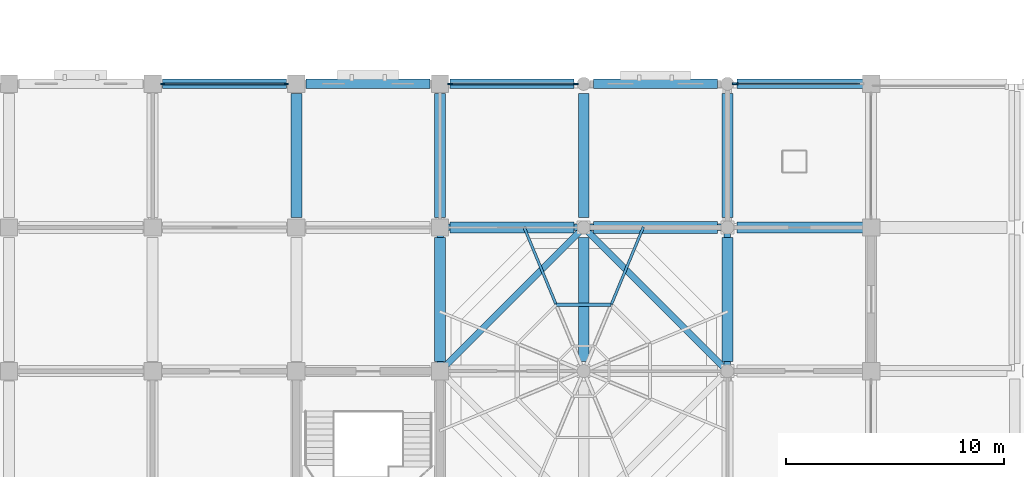
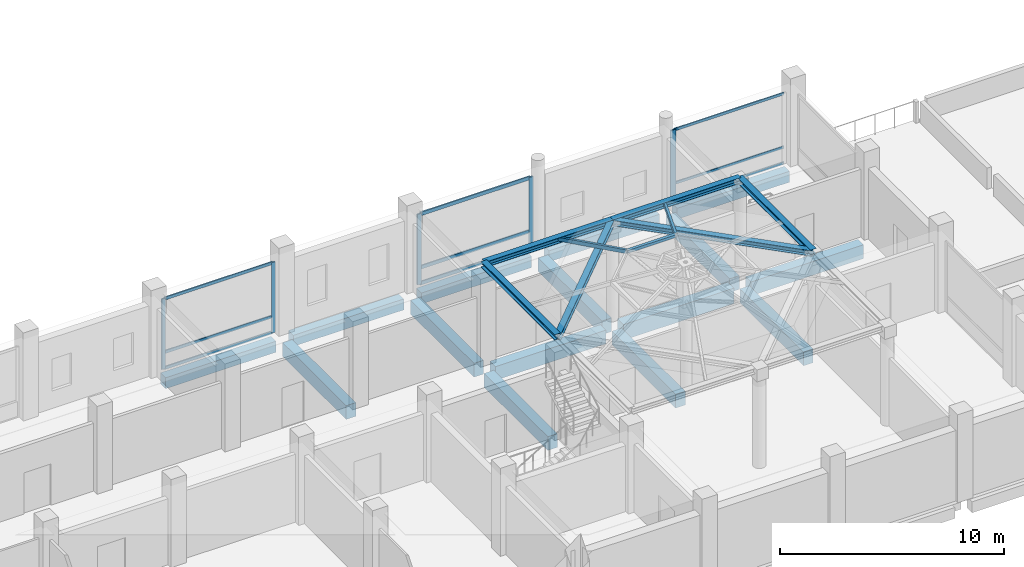
# One storey, part 8 of 34: 21 beams, 17 members, 3 elements without a shape of their own.
"""IFC4 building model written with IfcOpenShell, lengths in metres."""

from ifc_helpers import new_model, si_unit, direction, frame, origin, origin_2d, place, context, subcontext, project, spatial, rectangle, hollow_rectangle, i_section, extrude, material, material_profile, profile_set, type_object, element, aggregate, save


model = new_model("IFC4")

# Units and contexts
model_context = context("Model", 3, precision=1e-05, world=origin(), true_north=direction((0.0, 1.0)))
body_context = subcontext(model_context, "Body", "Model", "MODEL_VIEW")
ifc_project = project(units=[si_unit("LENGTHUNIT", "METRE"), si_unit("AREAUNIT", "SQUARE_METRE"), si_unit("VOLUMEUNIT", "CUBIC_METRE"), si_unit("PLANEANGLEUNIT", "RADIAN"), si_unit("MASSUNIT", "GRAM", prefix="KILO")], contexts=[model_context])

# Site, building, storey
site_placement = place(None, origin())
site = spatial("IfcSite", under=ifc_project, at=site_placement, CompositionType="ELEMENT")
building_placement = place(site_placement, origin())
building = spatial("IfcBuilding", under=site, at=building_placement, Name="Rusizi Kubbe Research Institute", CompositionType="ELEMENT")
storey_placement = place(building_placement, frame((0.0, 0.0, 5.39990234375)))
storey = spatial("IfcBuildingStorey", under=building, at=storey_placement, Name="L01", CompositionType="ELEMENT", Elevation=5.39990234375)

# Beams
ifc_material_1 = material(Name="Steel S355", Category="steel")
ifc_material_profile_1 = material_profile(ifc_material_1, i_section(OverallWidth=0.300048828125, OverallDepth=0.300048828125, WebThickness=0.010986328125, FlangeThickness=0.01904296875, at=origin_2d()), Name="HEB 300")
ifc_profile_set_1 = profile_set([ifc_material_profile_1], Name="Steel S355")
beam_type_1 = type_object("IfcBeamType", Name="BM-HEB300", PredefinedType="BEAM", material=ifc_profile_set_1)
for number, where, z_axis, x_axis, name in (
    (1, (92.39990234375, 13.199951171875, 5.300048828125), (0.0, 1.0, 0.0), (-1.0, 0.0, 0.0), "Kubbe Dome Ring Beam DOME-EPO E2"),
    (2, (79.199951171875, 19.800048828125, 5.300048828125), (1.0, 0.0, 0.0), (0.0, 1.0, 0.0), "Kubbe Dome Ring Beam DOME-EPO N1"),
):
    element("IfcBeam", number, at=place(storey_placement, frame(where, z_axis=z_axis, x_axis=x_axis)), inside=storey, type_object=beam_type_1, Name=name, PredefinedType="BEAM", context=body_context, shape_type="SweptSolid", body=[
        extrude(i_section(OverallWidth=0.300048828125, OverallDepth=0.300048828125, WebThickness=0.010986328125, FlangeThickness=0.01904296875, at=origin_2d()), origin(), (0.0, 0.0, 1.0), 6.60009765625),
    ])
beam_1_placement = place(storey_placement, frame((85.800048828125, 19.800048828125, 5.300048828125), z_axis=(1.0, 0.0, 0.0), x_axis=(0.0, 1.0, 0.0)))
element("IfcBeam", 3, at=beam_1_placement, inside=storey, type_object=beam_type_1, Name="Kubbe Dome Ring Beam DOME-EPO N2", PredefinedType="BEAM", context=body_context, shape_type="SweptSolid", body=[
    extrude(i_section(OverallWidth=0.300048828125, OverallDepth=0.300048828125, WebThickness=0.010986328125, FlangeThickness=0.01904296875, at=origin_2d()), origin(), (0.0, 0.0, 1.0), 6.599853515625),
])
beam_2_placement = place(storey_placement, frame((79.199951171875, 13.199951171875, 5.300048828125), z_axis=(0.0, 1.0, 0.0), x_axis=(-1.0, 0.0, 0.0)))
element("IfcBeam", 4, at=beam_2_placement, inside=storey, type_object=beam_type_1, Name="Kubbe Dome Ring Beam DOME-EPO W2", PredefinedType="BEAM", context=body_context, shape_type="SweptSolid", body=[
    extrude(i_section(OverallWidth=0.300048828125, OverallDepth=0.300048828125, WebThickness=0.010986328125, FlangeThickness=0.01904296875, at=origin_2d()), origin(), (0.0, 0.0, 1.0), 6.60009765625),
])
beam_3_placement = place(storey_placement, frame((92.39990234375, 13.199951171875, 5.300048828125), z_axis=(-0.707093702722, 0.707119859409, 0.0), x_axis=(-0.707119859409, -0.707093702722, 0.0)))
element("IfcBeam", 5, at=beam_3_placement, inside=storey, type_object=beam_type_1, Name="Kubbe Dome Ring Beam DOME-EPO PNE", PredefinedType="BEAM", context=body_context, shape_type="SweptSolid", body=[
    extrude(i_section(OverallWidth=0.300048828125, OverallDepth=0.300048828125, WebThickness=0.010986328125, FlangeThickness=0.01904296875, at=origin_2d()), origin(), (0.0, 0.0, 1.0), 9.333740234375),
])
beam_4_placement = place(storey_placement, frame((85.800048828125, 19.800048828125, 5.300048828125), z_axis=(-0.707106781187, -0.707106781187, 0.0), x_axis=(0.707106781187, -0.707106781187, 0.0)))
element("IfcBeam", 6, at=beam_4_placement, inside=storey, type_object=beam_type_1, Name="Kubbe Dome Ring Beam DOME-EPO PNW", PredefinedType="BEAM", context=body_context, shape_type="SweptSolid", body=[
    extrude(i_section(OverallWidth=0.300048828125, OverallDepth=0.300048828125, WebThickness=0.010986328125, FlangeThickness=0.01904296875, at=origin_2d()), origin(), (0.0, 0.0, 1.0), 9.333984375),
])
ifc_material_2 = material(Name="Concrete C40/50", Category="concrete")
ifc_material_profile_2 = material_profile(ifc_material_2, rectangle(XDim=0.449951171875, YDim=0.60009765625, at=origin_2d()), Name="RC450x600")
ifc_profile_set_2 = profile_set([ifc_material_profile_2], Name="Concrete C40/50")
beam_type_2 = type_object("IfcBeamType", Name="BM-RC450x600", PredefinedType="SPANDREL", material=ifc_profile_set_2)
for number, where, z_axis, x_axis, name in (
    (7, (66.449951171875, 26.39990234375, -0.64990234375), (1.0, 0.0, 0.0), (0.0, 1.0, 0.0), "Grid Beam H L01 (10,4)"),
    (8, (73.050048828125, 26.39990234375, -0.64990234375), (1.0, 0.0, 0.0), (0.0, 1.0, 0.0), "Grid Beam H L01 (11,4)"),
):
    element("IfcBeam", number, at=place(storey_placement, frame(where, z_axis=z_axis, x_axis=x_axis)), inside=storey, type_object=beam_type_2, Name=name, PredefinedType="SPANDREL", context=body_context, shape_type="SweptSolid", body=[
        extrude(rectangle(XDim=0.449951171875, YDim=0.60009765625, at=origin_2d()), origin(), (0.0, 0.0, 1.0), 5.699951171875),
    ])
beam_5_placement = place(storey_placement, frame((79.64990234375, 26.39990234375, -0.64990234375), z_axis=(1.0, 0.0, 0.0), x_axis=(0.0, 1.0, 0.0)))
element("IfcBeam", 9, at=beam_5_placement, inside=storey, type_object=beam_type_2, Name="Grid Beam H L01 (12,4)", PredefinedType="SPANDREL", context=body_context, shape_type="SweptSolid", body=[
    extrude(rectangle(XDim=0.449951171875, YDim=0.60009765625, at=origin_2d()), origin(), (0.0, 0.0, 1.0), 5.7001953125),
])
beam_6_placement = place(storey_placement, frame((86.25, 26.39990234375, -0.64990234375), z_axis=(1.0, 0.0, 0.0), x_axis=(0.0, 1.0, 0.0)))
element("IfcBeam", 10, at=beam_6_placement, inside=storey, type_object=beam_type_2, Name="Grid Beam H L01 (13,4)", PredefinedType="SPANDREL", context=body_context, shape_type="SweptSolid", body=[
    extrude(rectangle(XDim=0.449951171875, YDim=0.60009765625, at=origin_2d()), origin(), (0.0, 0.0, 1.0), 5.699951171875),
])
beam_7_placement = place(storey_placement, frame((92.85009765625, 26.39990234375, -0.64990234375), z_axis=(1.0, 0.0, 0.0), x_axis=(0.0, 1.0, 0.0)))
element("IfcBeam", 11, at=beam_7_placement, inside=storey, type_object=beam_type_2, Name="Grid Beam H L01 (14,4)", PredefinedType="SPANDREL", context=body_context, shape_type="SweptSolid", body=[
    extrude(rectangle(XDim=0.449951171875, YDim=0.60009765625, at=origin_2d()), origin(), (0.0, 0.0, 1.0), 5.7998046875),
])
ifc_material_3 = material(Name="Concrete C45/55", Category="concrete")
ifc_material_profile_3 = material_profile(ifc_material_3, rectangle(XDim=0.5, YDim=0.75, at=origin_2d()), Name="RC500x750B")
ifc_profile_set_3 = profile_set([ifc_material_profile_3], Name="Concrete C45/55")
beam_type_3 = type_object("IfcBeamType", Name="BM-RC500x750", PredefinedType="BEAM", material=ifc_profile_set_3)
beam_8_placement = place(storey_placement, frame((79.64990234375, 19.800048828125, -0.724853515625), z_axis=(1.0, 0.0, 0.0), x_axis=(0.0, 1.0, 0.0)))
element("IfcBeam", 12, at=beam_8_placement, inside=storey, type_object=beam_type_3, Name="Grid Beam H L01 (12,3)", PredefinedType="BEAM", context=body_context, shape_type="SweptSolid", body=[
    extrude(rectangle(XDim=0.5, YDim=0.75, at=origin_2d()), origin(), (0.0, 0.0, 1.0), 5.7001953125),
])
beam_9_placement = place(storey_placement, frame((92.85009765625, 19.800048828125, -0.724853515625), z_axis=(1.0, 0.0, 0.0), x_axis=(0.0, 1.0, 0.0)))
element("IfcBeam", 13, at=beam_9_placement, inside=storey, type_object=beam_type_3, Name="Grid Beam H L01 (14,3)", PredefinedType="BEAM", context=body_context, shape_type="SweptSolid", body=[
    extrude(rectangle(XDim=0.5, YDim=0.75, at=origin_2d()), origin(), (0.0, 0.0, 1.0), 5.7998046875),
])
beam_10_placement = place(storey_placement, frame((72.60009765625, 20.25, -0.724853515625), z_axis=(0.0, 1.0, 0.0), x_axis=(-1.0, 0.0, 0.0)))
element("IfcBeam", 14, at=beam_10_placement, inside=storey, type_object=beam_type_3, Name="Grid Beam V L01 (11,3)", PredefinedType="BEAM", context=body_context, shape_type="SweptSolid", body=[
    extrude(rectangle(XDim=0.5, YDim=0.75, at=origin_2d()), origin(), (0.0, 0.0, 1.0), 5.699951171875),
])
beam_11_placement = place(storey_placement, frame((79.199951171875, 13.64990234375, -0.724853515625), z_axis=(0.0, 1.0, 0.0), x_axis=(-1.0, 0.0, 0.0)))
element("IfcBeam", 15, at=beam_11_placement, inside=storey, type_object=beam_type_3, Name="Grid Beam V L01 (12,2)", PredefinedType="BEAM", context=body_context, shape_type="SweptSolid", body=[
    extrude(rectangle(XDim=0.5, YDim=0.75, at=origin_2d()), origin(), (0.0, 0.0, 1.0), 5.7001953125),
])
beam_12_placement = place(storey_placement, frame((79.199951171875, 20.25, -0.724853515625), z_axis=(0.0, 1.0, 0.0), x_axis=(-1.0, 0.0, 0.0)))
element("IfcBeam", 16, at=beam_12_placement, inside=storey, type_object=beam_type_3, Name="Grid Beam V L01 (12,3)", PredefinedType="BEAM", context=body_context, shape_type="SweptSolid", body=[
    extrude(rectangle(XDim=0.5, YDim=0.75, at=origin_2d()), origin(), (0.0, 0.0, 1.0), 5.699951171875),
])
beam_13_placement = place(storey_placement, frame((85.800048828125, 13.64990234375, -0.724853515625), z_axis=(0.0, 1.0, 0.0), x_axis=(-1.0, 0.0, 0.0)))
element("IfcBeam", 17, at=beam_13_placement, inside=storey, type_object=beam_type_3, Name="Grid Beam V L01 (13,2)", PredefinedType="BEAM", context=body_context, shape_type="SweptSolid", body=[
    extrude(rectangle(XDim=0.5, YDim=0.75, at=origin_2d()), origin(), (0.0, 0.0, 1.0), 5.7001953125),
])
beam_14_placement = place(storey_placement, frame((85.800048828125, 20.25, -0.724853515625), z_axis=(0.0, 1.0, 0.0), x_axis=(-1.0, 0.0, 0.0)))
element("IfcBeam", 18, at=beam_14_placement, inside=storey, type_object=beam_type_3, Name="Grid Beam V L01 (13,3)", PredefinedType="BEAM", context=body_context, shape_type="SweptSolid", body=[
    extrude(rectangle(XDim=0.5, YDim=0.75, at=origin_2d()), origin(), (0.0, 0.0, 1.0), 5.699951171875),
])
beam_15_placement = place(storey_placement, frame((92.39990234375, 13.64990234375, -0.724853515625), z_axis=(0.0, 1.0, 0.0), x_axis=(-1.0, 0.0, 0.0)))
element("IfcBeam", 19, at=beam_15_placement, inside=storey, type_object=beam_type_3, Name="Grid Beam V L01 (14,2)", PredefinedType="BEAM", context=body_context, shape_type="SweptSolid", body=[
    extrude(rectangle(XDim=0.5, YDim=0.75, at=origin_2d()), origin(), (0.0, 0.0, 1.0), 5.7001953125),
])
beam_16_placement = place(storey_placement, frame((92.39990234375, 20.25, -0.724853515625), z_axis=(0.0, 1.0, 0.0), x_axis=(-1.0, 0.0, 0.0)))
element("IfcBeam", 20, at=beam_16_placement, inside=storey, type_object=beam_type_3, Name="Grid Beam V L01 (14,3)", PredefinedType="BEAM", context=body_context, shape_type="SweptSolid", body=[
    extrude(rectangle(XDim=0.5, YDim=0.75, at=origin_2d()), origin(), (0.0, 0.0, 1.0), 5.699951171875),
])
ifc_material_4 = material(Name="Concrete C45/55", Category="concrete")
ifc_material_profile_4 = material_profile(ifc_material_4, rectangle(XDim=0.550048828125, YDim=0.85009765625, at=origin_2d()), Name="RC550x850")
ifc_profile_set_4 = profile_set([ifc_material_profile_4], Name="Concrete C45/55")
beam_type_4 = type_object("IfcBeamType", Name="BM-RC550x850", PredefinedType="BEAM", material=ifc_profile_set_4)
beam_17_placement = place(storey_placement, frame((86.25, 19.800048828125, -0.77490234375), z_axis=(1.0, 0.0, 0.0), x_axis=(0.0, 1.0, 0.0)))
element("IfcBeam", 21, at=beam_17_placement, inside=storey, type_object=beam_type_4, Name="Grid Beam H L01 (13,3)", PredefinedType="BEAM", context=body_context, shape_type="SweptSolid", body=[
    extrude(rectangle(XDim=0.550048828125, YDim=0.85009765625, at=origin_2d()), origin(), (0.0, 0.0, 1.0), 5.699951171875),
])

# Members
ifc_material_5 = material(Name="Steel S355", Category="steel")
ifc_material_profile_5 = material_profile(ifc_material_5, hollow_rectangle(XDim=0.1201171875, YDim=0.199951171875, WallThickness=0.008056640625, at=origin_2d()), Name="RHS 200x120x8.0")
ifc_profile_set_5 = profile_set([ifc_material_profile_5], Name="Steel S355")
member_type_1 = type_object("IfcMemberType", Name="MB-RHS200", PredefinedType="RAFTER", material=ifc_profile_set_5)
for number, where, z_axis, x_axis, name in (
    (22, (88.53369140625, 19.800048828125, 5.300048828125), (-0.371608292738, -0.897164186915, 0.238754473226), (0.923882911584, -0.38267527446, 0.0), "Kubbe Arch Rib Lower DOME-EPO-2"),
    (23, (83.066162109375, 19.800048828125, 5.300048828125), (0.371608292738, -0.897164186915, 0.238754473226), (0.923882911584, 0.38267527446, 0.0), "Kubbe Arch Rib Lower DOME-EPO-3"),
):
    element("IfcMember", number, at=place(storey_placement, frame(where, z_axis=z_axis, x_axis=x_axis)), inside=storey, type_object=member_type_1, Name=name, PredefinedType="RAFTER", context=body_context, shape_type="SweptSolid", body=[
        extrude(hollow_rectangle(XDim=0.1201171875, YDim=0.199951171875, WallThickness=0.008056640625, at=origin_2d()), origin(), (0.0, 0.0, 1.0), 3.958251953125),
    ])
ifc_material_6 = material(Name="Steel S355", Category="steel")
ifc_material_profile_6 = material_profile(ifc_material_6, hollow_rectangle(XDim=0.14990234375, YDim=0.14990234375, WallThickness=0.008056640625, at=origin_2d()), Name="SHS 150x150x8.0")
ifc_profile_set_6 = profile_set([ifc_material_profile_6], Name="Steel S355")
member_type_2 = type_object("IfcMemberType", Name="MB-SHS150", PredefinedType="PURLIN", material=ifc_profile_set_6)
member_1_placement = place(storey_placement, frame((87.062744140625, 16.248779296875, 6.2451171875), z_axis=(-1.0, 0.0, 0.0), x_axis=(0.0, -1.0, 0.0)))
element("IfcMember", 24, at=member_1_placement, inside=storey, type_object=member_type_2, Name="Kubbe Vault Hoop Purlin Mid DOME-EPO-2", PredefinedType="PURLIN", context=body_context, shape_type="SweptSolid", body=[
    extrude(hollow_rectangle(XDim=0.14990234375, YDim=0.14990234375, WallThickness=0.008056640625, at=origin_2d()), origin(), (0.0, 0.0, 1.0), 2.525634765625),
])

# Curtain wall, members
ifc_material_7 = material(Name="Thermally Broken Aluminium and Low-E Glazing", Category="aluminium")
curtain_wall_type = type_object("IfcCurtainWallType", Name="CW-18", PredefinedType="NOTDEFINED", material=ifc_material_7)
curtain_wall_1_placement = place(storey_placement, origin())
curtain_wall_1 = element("IfcCurtainWall", 25, at=curtain_wall_1_placement, inside=storey, type_object=curtain_wall_type, Name="Unitised Facade Curtain Wall CW-L01-H-10-04", PredefinedType="NOTDEFINED")
ifc_material_8 = material(Name="Aluminium Alloy 6063-T6", Category="aluminium")
ifc_material_profile_7 = material_profile(ifc_material_8, rectangle(XDim=0.06494140625, YDim=0.199951171875, at=origin_2d()), Name="ALU-M 65x200")
ifc_profile_set_7 = profile_set([ifc_material_profile_7], Name="Aluminium Alloy 6063-T6")
member_type_3 = type_object("IfcMemberType", Name="ML-03", PredefinedType="MULLION", material=ifc_profile_set_7)
member_2_placement = place(storey_placement, frame((66.46240234375, 26.39990234375, 0.0), z_axis=(0.0, 0.0, 1.0), x_axis=(0.0, 1.0, 0.0)))
member_2 = element("IfcMember", 26, at=member_2_placement, type_object=member_type_3, Name="CW-18 mullion 1", PredefinedType="MULLION", context=body_context, shape_type="SweptSolid", body=[
    extrude(rectangle(XDim=0.06494140625, YDim=0.199951171875, at=origin_2d()), origin(), (0.0, 0.0, 1.0), 3.85009765625),
])
member_3_placement = place(storey_placement, frame((72.137451171875, 26.39990234375, 0.0), z_axis=(0.0, 0.0, 1.0), x_axis=(0.0, 1.0, 0.0)))
member_3 = element("IfcMember", 27, at=member_3_placement, type_object=member_type_3, Name="CW-18 mullion 2", PredefinedType="MULLION", context=body_context, shape_type="SweptSolid", body=[
    extrude(rectangle(XDim=0.06494140625, YDim=0.199951171875, at=origin_2d()), origin(), (0.0, 0.0, 1.0), 3.85009765625),
])

curtain_wall_2_placement = place(storey_placement, origin())
curtain_wall_2 = element("IfcCurtainWall", 28, at=curtain_wall_2_placement, inside=storey, type_object=curtain_wall_type, Name="Unitised Facade Curtain Wall CW-L01-H-12-04", PredefinedType="NOTDEFINED")
ifc_material_9 = material(Name="Aluminium Alloy 6063-T6", Category="aluminium")
ifc_material_profile_8 = material_profile(ifc_material_9, rectangle(XDim=0.070068359375, YDim=0.219970703125, at=origin_2d()), Name="ALU-M 70x220")
ifc_profile_set_8 = profile_set([ifc_material_profile_8], Name="Aluminium Alloy 6063-T6")
member_type_4 = type_object("IfcMemberType", Name="ML-04", PredefinedType="MULLION", material=ifc_profile_set_8)
member_4_placement = place(storey_placement, frame((79.6650390625, 26.39990234375, 0.0), z_axis=(0.0, 0.0, 1.0), x_axis=(0.0, 1.0, 0.0)))
member_4 = element("IfcMember", 29, at=member_4_placement, type_object=member_type_4, Name="CW-18 mullion 1", PredefinedType="MULLION", context=body_context, shape_type="SweptSolid", body=[
    extrude(rectangle(XDim=0.070068359375, YDim=0.219970703125, at=origin_2d()), origin(), (0.0, 0.0, 1.0), 3.85009765625),
])
member_5_placement = place(storey_placement, frame((85.43505859375, 26.39990234375, 0.0), z_axis=(0.0, 0.0, 1.0), x_axis=(0.0, 1.0, 0.0)))
member_5 = element("IfcMember", 30, at=member_5_placement, type_object=member_type_4, Name="CW-18 mullion 2", PredefinedType="MULLION", context=body_context, shape_type="SweptSolid", body=[
    extrude(rectangle(XDim=0.070068359375, YDim=0.219970703125, at=origin_2d()), origin(), (0.0, 0.0, 1.0), 3.85009765625),
])

curtain_wall_3_placement = place(storey_placement, origin())
curtain_wall_3 = element("IfcCurtainWall", 31, at=curtain_wall_3_placement, inside=storey, type_object=curtain_wall_type, Name="Unitised Facade Curtain Wall CW-L01-H-14-04", PredefinedType="NOTDEFINED")
ifc_material_10 = material(Name="Aluminium Alloy 6063-T6", Category="aluminium")
ifc_material_profile_9 = material_profile(ifc_material_10, rectangle(XDim=0.080078125, YDim=0.280029296875, at=origin_2d()), Name="ALU-M 80x280")
ifc_profile_set_9 = profile_set([ifc_material_profile_9], Name="Aluminium Alloy 6063-T6")
member_type_5 = type_object("IfcMemberType", Name="ML-06", PredefinedType="MULLION", material=ifc_profile_set_9)
member_6_placement = place(storey_placement, frame((92.77001953125, 26.39990234375, 0.0), z_axis=(0.0, 0.0, 1.0), x_axis=(0.0, 1.0, 0.0)))
member_6 = element("IfcMember", 32, at=member_6_placement, type_object=member_type_5, Name="CW-18 mullion 1", PredefinedType="MULLION", context=body_context, shape_type="SweptSolid", body=[
    extrude(rectangle(XDim=0.080078125, YDim=0.280029296875, at=origin_2d()), origin(), (0.0, 0.0, 1.0), 3.85009765625),
])
ifc_material_11 = material(Name="Aluminium Alloy 6063-T6", Category="aluminium")
ifc_material_profile_10 = material_profile(ifc_material_11, rectangle(XDim=0.06005859375, YDim=0.139892578125, at=origin_2d()), Name="ALU-T 60x140")
ifc_profile_set_10 = profile_set([ifc_material_profile_10], Name="Aluminium Alloy 6063-T6")
member_type_6 = type_object("IfcMemberType", Name="TR-02", PredefinedType="USERDEFINED", material=ifc_profile_set_10)
member_7_placement = place(storey_placement, frame((92.81005859375, 26.39990234375, 0.030029296875), z_axis=(1.0, 0.0, 0.0), x_axis=(0.0, 1.0, 0.0)))
member_7 = element("IfcMember", 33, at=member_7_placement, type_object=member_type_6, Name="CW-18 transom 1.1", ObjectType="TRANSOM", PredefinedType="USERDEFINED", context=body_context, shape_type="SweptSolid", body=[
    extrude(rectangle(XDim=0.06005859375, YDim=0.139892578125, at=origin_2d()), origin(), (0.0, 0.0, 1.0), 5.679931640625),
])
member_8_placement = place(storey_placement, frame((92.81005859375, 26.39990234375, 0.900146484375), z_axis=(1.0, 0.0, 0.0), x_axis=(0.0, 1.0, 0.0)))
member_8 = element("IfcMember", 34, at=member_8_placement, type_object=member_type_6, Name="CW-18 transom 1.2", ObjectType="TRANSOM", PredefinedType="USERDEFINED", context=body_context, shape_type="SweptSolid", body=[
    extrude(rectangle(XDim=0.06005859375, YDim=0.139892578125, at=origin_2d()), origin(), (0.0, 0.0, 1.0), 5.679931640625),
])
member_9_placement = place(storey_placement, frame((92.81005859375, 26.39990234375, 3.820068359375), z_axis=(1.0, 0.0, 0.0), x_axis=(0.0, 1.0, 0.0)))
member_9 = element("IfcMember", 35, at=member_9_placement, type_object=member_type_6, Name="CW-18 transom 1.3", ObjectType="TRANSOM", PredefinedType="USERDEFINED", context=body_context, shape_type="SweptSolid", body=[
    extrude(rectangle(XDim=0.06005859375, YDim=0.139892578125, at=origin_2d()), origin(), (0.0, 0.0, 1.0), 5.679931640625),
])
aggregate(curtain_wall_3, [member_6, member_7, member_8, member_9])

# Member
ifc_material_12 = material(Name="Aluminium Alloy 6063-T6", Category="aluminium")
ifc_material_profile_11 = material_profile(ifc_material_12, rectangle(XDim=0.06494140625, YDim=0.159912109375, at=origin_2d()), Name="ALU-T 65x160")
ifc_profile_set_11 = profile_set([ifc_material_profile_11], Name="Aluminium Alloy 6063-T6")
member_type_7 = type_object("IfcMemberType", Name="TR-03", PredefinedType="USERDEFINED", material=ifc_profile_set_11)
member_10_placement = place(storey_placement, frame((66.4951171875, 26.39990234375, 0.03271484375), z_axis=(1.0, 0.0, 0.0), x_axis=(0.0, 1.0, 0.0)))
member_10 = element("IfcMember", 36, at=member_10_placement, type_object=member_type_7, Name="CW-18 transom 1.1", ObjectType="TRANSOM", PredefinedType="USERDEFINED", context=body_context, shape_type="SweptSolid", body=[
    extrude(rectangle(XDim=0.06494140625, YDim=0.159912109375, at=origin_2d()), origin(), (0.0, 0.0, 1.0), 5.60986328125),
])

member_11_placement = place(storey_placement, frame((66.4951171875, 26.39990234375, 0.900146484375), z_axis=(1.0, 0.0, 0.0), x_axis=(0.0, 1.0, 0.0)))
member_11 = element("IfcMember", 37, at=member_11_placement, type_object=member_type_7, Name="CW-18 transom 1.2", ObjectType="TRANSOM", PredefinedType="USERDEFINED", context=body_context, shape_type="SweptSolid", body=[
    extrude(rectangle(XDim=0.06494140625, YDim=0.159912109375, at=origin_2d()), origin(), (0.0, 0.0, 1.0), 5.60986328125),
])

member_12_placement = place(storey_placement, frame((66.4951171875, 26.39990234375, 3.817626953125), z_axis=(1.0, 0.0, 0.0), x_axis=(0.0, 1.0, 0.0)))
member_12 = element("IfcMember", 38, at=member_12_placement, type_object=member_type_7, Name="CW-18 transom 1.3", ObjectType="TRANSOM", PredefinedType="USERDEFINED", context=body_context, shape_type="SweptSolid", body=[
    extrude(rectangle(XDim=0.06494140625, YDim=0.159912109375, at=origin_2d()), origin(), (0.0, 0.0, 1.0), 5.60986328125),
])

aggregate(curtain_wall_1, [member_2, member_3, member_10, member_11, member_12])

ifc_material_13 = material(Name="Aluminium Alloy 6063-T6", Category="aluminium")
ifc_material_profile_12 = material_profile(ifc_material_13, rectangle(XDim=0.070068359375, YDim=0.18994140625, at=origin_2d()), Name="ALU-T 70x190")
ifc_profile_set_12 = profile_set([ifc_material_profile_12], Name="Aluminium Alloy 6063-T6")
member_type_8 = type_object("IfcMemberType", Name="TR-04", PredefinedType="USERDEFINED", material=ifc_profile_set_12)
member_13_placement = place(storey_placement, frame((79.699951171875, 26.39990234375, 0.03515625), z_axis=(1.0, 0.0, 0.0), x_axis=(0.0, 1.0, 0.0)))
member_13 = element("IfcMember", 39, at=member_13_placement, type_object=member_type_8, Name="CW-18 transom 1.1", ObjectType="TRANSOM", PredefinedType="USERDEFINED", context=body_context, shape_type="SweptSolid", body=[
    extrude(rectangle(XDim=0.070068359375, YDim=0.18994140625, at=origin_2d()), origin(), (0.0, 0.0, 1.0), 5.699951171875),
])

member_14_placement = place(storey_placement, frame((79.699951171875, 26.39990234375, 0.900146484375), z_axis=(1.0, 0.0, 0.0), x_axis=(0.0, 1.0, 0.0)))
member_14 = element("IfcMember", 40, at=member_14_placement, type_object=member_type_8, Name="CW-18 transom 1.2", ObjectType="TRANSOM", PredefinedType="USERDEFINED", context=body_context, shape_type="SweptSolid", body=[
    extrude(rectangle(XDim=0.070068359375, YDim=0.18994140625, at=origin_2d()), origin(), (0.0, 0.0, 1.0), 5.699951171875),
])

member_15_placement = place(storey_placement, frame((79.699951171875, 26.39990234375, 3.815185546875), z_axis=(1.0, 0.0, 0.0), x_axis=(0.0, 1.0, 0.0)))
member_15 = element("IfcMember", 41, at=member_15_placement, type_object=member_type_8, Name="CW-18 transom 1.3", ObjectType="TRANSOM", PredefinedType="USERDEFINED", context=body_context, shape_type="SweptSolid", body=[
    extrude(rectangle(XDim=0.070068359375, YDim=0.18994140625, at=origin_2d()), origin(), (0.0, 0.0, 1.0), 5.699951171875),
])

aggregate(curtain_wall_2, [member_4, member_5, member_13, member_14, member_15])

save(model, "model.ifc")
